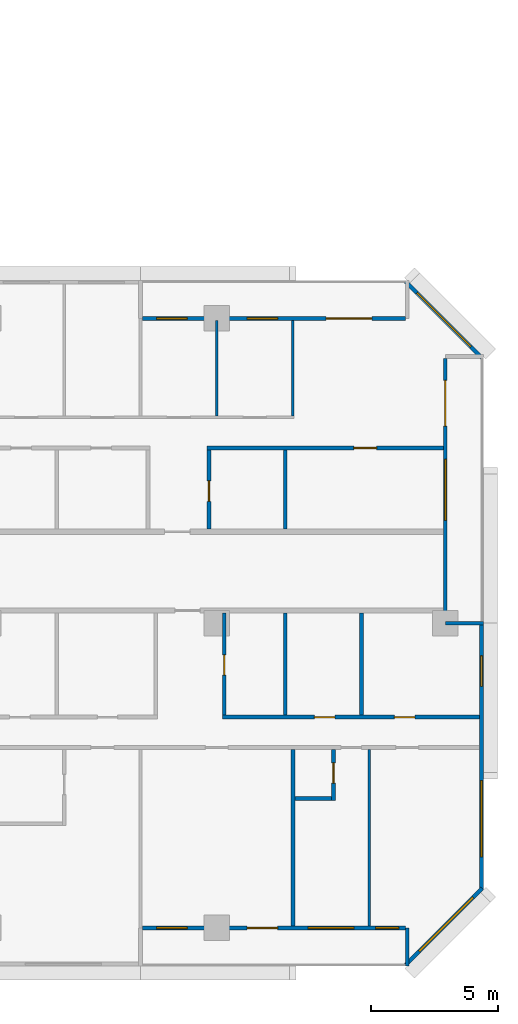
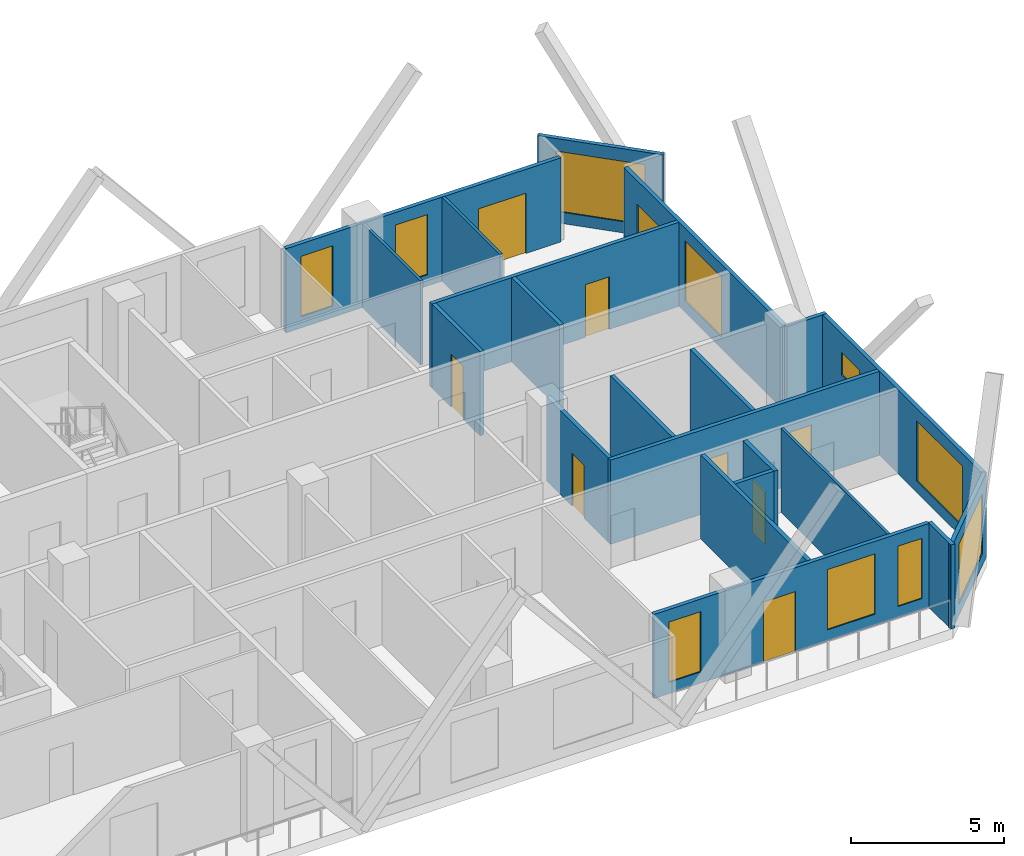
# One storey, part 12 of 15: 21 walls, 10 windows, 9 doors, 19 openings.
"""IFC4 building model written with IfcOpenShell, lengths in metres."""

from ifc_helpers import new_model, si_unit, direction, frame, frame_2d, origin, place, context, subcontext, project, spatial, rectangle, extrude, material, layer, layer_set, type_object, element, fill, save


model = new_model("IFC4")

# Units and contexts
model_context = context("Model", 3, precision=1e-05, world=origin(), true_north=direction((0.0, 1.0)))
body_context = subcontext(model_context, "Body", "Model", "MODEL_VIEW")
ifc_project = project(units=[si_unit("LENGTHUNIT", "METRE"), si_unit("AREAUNIT", "SQUARE_METRE"), si_unit("VOLUMEUNIT", "CUBIC_METRE"), si_unit("PLANEANGLEUNIT", "RADIAN"), si_unit("MASSUNIT", "GRAM", prefix="KILO")], contexts=[model_context])

# Site, building, storey
site_placement = place(None, origin())
site = spatial("IfcSite", under=ifc_project, at=site_placement, CompositionType="ELEMENT")
building_placement = place(site_placement, origin())
building = spatial("IfcBuilding", under=site, at=building_placement, Name="Chenar Terraces", CompositionType="ELEMENT")
storey_placement = place(building_placement, frame((0.0, 0.0, 114.39990234375)))
storey = spatial("IfcBuildingStorey", under=building, at=storey_placement, Name="L26", CompositionType="ELEMENT", Elevation=114.39990234375)

# Wall, openings, windows
ifc_material_1 = material(Name="Aluminium framed glazing", Category="aluminium")
ifc_layer_1 = layer(ifc_material_1, 0.14990234375)
ifc_layer_set_1 = layer_set([ifc_layer_1], Name="Aluminium framed glazing")
wall_type_1 = type_object("IfcWallType", Name="Glazed flush facade wall 150", PredefinedType="SOLIDWALL", material=ifc_layer_set_1)
wall_1_placement = place(storey_placement, frame((73.425048828125, 1.5, 0.0), z_axis=(0.0, 0.0, 1.0), x_axis=(0.0, 1.0, 0.0)))
wall_1 = element("IfcWall", 1, at=wall_1_placement, inside=storey, type_object=wall_type_1, Name="Glazed flush facade wall", PredefinedType="SOLIDWALL", context=body_context, shape_type="SweptSolid", body=[
    extrude(rectangle(XDim=10.425048828125, YDim=0.14990234375, at=frame_2d((5.21240234375, 0.0))), origin(), (0.0, 0.0, 1.0), 3.35009765625),
])
opening_1_placement = place(wall_1_placement, frame((1.300048828125, 0.0, 0.449951171875)))
opening_1 = element("IfcOpeningElement", 2, at=opening_1_placement, cuts=wall_1, Name="Opening W300x240", PredefinedType="OPENING", context=body_context, shape_type="SweptSolid", body=[
    extrude(rectangle(XDim=3.0, YDim=2.39990234375, at=frame_2d((1.5, 1.199951171875))), frame((0.0, 0.0849609375, 0.0), z_axis=(0.0, -1.0, 0.0), x_axis=(1.0, 0.0, 0.0)), (0.0, 0.0, 1.0), 0.169921875),
])
opening_2_placement = place(wall_1_placement, frame((8.012451171875, 0.0, 1.699951171875)))
opening_2 = element("IfcOpeningElement", 3, at=opening_2_placement, cuts=wall_1, Name="Opening W120x90", PredefinedType="OPENING", context=body_context, shape_type="SweptSolid", body=[
    extrude(rectangle(XDim=1.199951171875, YDim=0.89990234375, at=frame_2d((0.60009765625, 0.449951171875))), frame((0.0, 0.0849609375, 0.0), z_axis=(0.0, -1.0, 0.0), x_axis=(1.0, 0.0, 0.0)), (0.0, 0.0, 1.0), 0.169921875),
])
ifc_material_2 = material(Name="Low emissivity double glazing, aluminium frame", Category="aluminium")
window_type_1 = type_object("IfcWindowType", Name="Fixed light 1200 x 900", PartitioningType="SINGLE_PANEL", PredefinedType="WINDOW", material=ifc_material_2)
window_1_placement = place(opening_2_placement, origin())
window_1 = element("IfcWindow", 4, at=window_1_placement, inside=storey, type_object=window_type_1, Name="Window", OverallHeight=0.89990234375, OverallWidth=1.199951171875, PartitioningType="SINGLE_PANEL", PredefinedType="WINDOW", context=body_context, shape_type="SweptSolid", body=[
    extrude(rectangle(XDim=1.199951171875, YDim=0.89990234375, at=frame_2d((0.60009765625, 0.449951171875))), frame((0.0, 0.030029296875, 0.0), z_axis=(0.0, -1.0, 0.0), x_axis=(1.0, 0.0, 0.0)), (0.0, 0.0, 1.0), 0.06005859375),
])
fill(opening_2, window_1)
ifc_material_3 = material(Name="Low emissivity double glazing, aluminium frame", Category="aluminium")
window_type_2 = type_object("IfcWindowType", Name="Fixed light 3000 x 2400", PartitioningType="SINGLE_PANEL", PredefinedType="WINDOW", material=ifc_material_3)
window_2_placement = place(opening_1_placement, origin())
window_2 = element("IfcWindow", 5, at=window_2_placement, inside=storey, type_object=window_type_2, Name="Window", OverallHeight=2.39990234375, OverallWidth=3.0, PartitioningType="SINGLE_PANEL", PredefinedType="WINDOW", context=body_context, shape_type="SweptSolid", body=[
    extrude(rectangle(XDim=3.0, YDim=2.39990234375, at=frame_2d((1.5, 1.199951171875))), frame((0.0, 0.030029296875, 0.0), z_axis=(0.0, -1.0, 0.0), x_axis=(1.0, 0.0, 0.0)), (0.0, 0.0, 1.0), 0.06005859375),
])
fill(opening_1, window_2)

# Wall, openings, windows, door
ifc_material_4 = material(Name="Aluminium framed glazing", Category="aluminium")
ifc_layer_2 = layer(ifc_material_4, 0.14990234375)
ifc_layer_set_2 = layer_set([ifc_layer_2], Name="Aluminium framed glazing")
wall_type_2 = type_object("IfcWallType", Name="Glazed loggia back wall 150", PredefinedType="SOLIDWALL", material=ifc_layer_set_2)
wall_2_placement = place(storey_placement, frame((70.425048828125, 24.0, 0.0), z_axis=(0.0, 0.0, 1.0), x_axis=(-1.0, 0.0, 0.0)))
wall_2 = element("IfcWall", 6, at=wall_2_placement, inside=storey, type_object=wall_type_2, Name="Glazed loggia back wall", PredefinedType="SOLIDWALL", context=body_context, shape_type="SweptSolid", body=[
    extrude(rectangle(XDim=10.35009765625, YDim=0.14990234375, at=frame_2d((5.175048828125, 0.0))), origin(), (0.0, 0.0, 1.0), 3.35009765625),
])
opening_3_placement = place(wall_2_placement, frame((1.3125, 0.0, 0.0)))
opening_3 = element("IfcOpeningElement", 7, at=opening_3_placement, cuts=wall_2, Name="Opening DL26-G1", PredefinedType="OPENING", context=body_context, shape_type="SweptSolid", body=[
    extrude(rectangle(XDim=1.800048828125, YDim=2.39990234375, at=frame_2d((0.89990234375, 1.199951171875))), frame((0.0, 0.0849609375, 0.0), z_axis=(0.0, -1.0, 0.0), x_axis=(1.0, 0.0, 0.0)), (0.0, 0.0, 1.0), 0.169921875),
])
opening_4_placement = place(wall_2_placement, frame((5.02490234375, 0.0, 0.449951171875)))
opening_4 = element("IfcOpeningElement", 8, at=opening_4_placement, cuts=wall_2, Name="Opening W120x240", PredefinedType="OPENING", context=body_context, shape_type="SweptSolid", body=[
    extrude(rectangle(XDim=1.199951171875, YDim=2.39990234375, at=frame_2d((0.60009765625, 1.199951171875))), frame((0.0, 0.0849609375, 0.0), z_axis=(0.0, -1.0, 0.0), x_axis=(1.0, 0.0, 0.0)), (0.0, 0.0, 1.0), 0.169921875),
])
opening_5_placement = place(wall_2_placement, frame((8.58740234375, 0.0, 0.449951171875)))
opening_5 = element("IfcOpeningElement", 9, at=opening_5_placement, cuts=wall_2, Name="Opening W120x240", PredefinedType="OPENING", context=body_context, shape_type="SweptSolid", body=[
    extrude(rectangle(XDim=1.199951171875, YDim=2.39990234375, at=frame_2d((0.60009765625, 1.199951171875))), frame((0.0, 0.0849609375, 0.0), z_axis=(0.0, -1.0, 0.0), x_axis=(1.0, 0.0, 0.0)), (0.0, 0.0, 1.0), 0.169921875),
])
ifc_material_5 = material(Name="Low emissivity double glazing, aluminium frame", Category="aluminium")
window_type_3 = type_object("IfcWindowType", Name="Fixed light 1200 x 2400", PartitioningType="SINGLE_PANEL", PredefinedType="WINDOW", material=ifc_material_5)
window_3_placement = place(opening_4_placement, origin())
window_3 = element("IfcWindow", 10, at=window_3_placement, inside=storey, type_object=window_type_3, Name="Window", OverallHeight=2.39990234375, OverallWidth=1.199951171875, PartitioningType="SINGLE_PANEL", PredefinedType="WINDOW", context=body_context, shape_type="SweptSolid", body=[
    extrude(rectangle(XDim=1.199951171875, YDim=2.39990234375, at=frame_2d((0.60009765625, 1.199951171875))), frame((0.0, 0.030029296875, 0.0), z_axis=(0.0, -1.0, 0.0), x_axis=(1.0, 0.0, 0.0)), (0.0, 0.0, 1.0), 0.06005859375),
])
fill(opening_4, window_3)
window_4_placement = place(opening_5_placement, origin())
window_4 = element("IfcWindow", 11, at=window_4_placement, inside=storey, type_object=window_type_3, Name="Window", OverallHeight=2.39990234375, OverallWidth=1.199951171875, PartitioningType="SINGLE_PANEL", PredefinedType="WINDOW", context=body_context, shape_type="SweptSolid", body=[
    extrude(rectangle(XDim=1.199951171875, YDim=2.39990234375, at=frame_2d((0.60009765625, 1.199951171875))), frame((0.0, 0.030029296875, 0.0), z_axis=(0.0, -1.0, 0.0), x_axis=(1.0, 0.0, 0.0)), (0.0, 0.0, 1.0), 0.06005859375),
])
fill(opening_5, window_4)
ifc_material_6 = material(Name="Low emissivity double glazing, aluminium frame", Category="aluminium")
door_type_1 = type_object("IfcDoorType", Name="Loggia glazed double door 1800 x 2400", OperationType="DOUBLE_DOOR_SINGLE_SWING", PredefinedType="DOOR", material=ifc_material_6)
door_1_placement = place(opening_3_placement, frame((1.800048828125, 0.0, 0.0), z_axis=(0.0, 0.0, 1.0), x_axis=(-1.0, 0.0, 0.0)))
door_1 = element("IfcDoor", 12, at=door_1_placement, inside=storey, type_object=door_type_1, Name="Loggia glazed door", OperationType="DOUBLE_DOOR_SINGLE_SWING", OverallHeight=2.39990234375, OverallWidth=1.800048828125, PredefinedType="DOOR", context=body_context, shape_type="SweptSolid", body=[
    extrude(rectangle(XDim=1.800048828125, YDim=2.39990234375, at=frame_2d((0.89990234375, 1.199951171875))), frame((0.0, 0.02490234375, 0.0), z_axis=(0.0, -1.0, 0.0), x_axis=(1.0, 0.0, 0.0)), (0.0, 0.0, 1.0), 0.050048828125),
])
fill(opening_3, door_1)

wall_3_placement = place(storey_placement, frame((60.074951171875, 0.0, 0.0), z_axis=(0.0, 0.0, 1.0), x_axis=(1.0, 0.0, 0.0)))
wall_3 = element("IfcWall", 13, at=wall_3_placement, inside=storey, type_object=wall_type_2, Name="Glazed loggia back wall", PredefinedType="SOLIDWALL", context=body_context, shape_type="SweptSolid", body=[
    extrude(rectangle(XDim=10.35009765625, YDim=0.14990234375, at=frame_2d((5.175048828125, 0.0))), origin(), (0.0, 0.0, 1.0), 3.35009765625),
])
opening_6_placement = place(wall_3_placement, frame((0.5625, 0.0, 0.449951171875)))
opening_6 = element("IfcOpeningElement", 14, at=opening_6_placement, cuts=wall_3, Name="Opening W120x240", PredefinedType="OPENING", context=body_context, shape_type="SweptSolid", body=[
    extrude(rectangle(XDim=1.199951171875, YDim=2.39990234375, at=frame_2d((0.60009765625, 1.199951171875))), frame((0.0, 0.0849609375, 0.0), z_axis=(0.0, -1.0, 0.0), x_axis=(1.0, 0.0, 0.0)), (0.0, 0.0, 1.0), 0.169921875),
])
opening_7_placement = place(wall_3_placement, frame((4.125, 0.0, 0.0)))
opening_7 = element("IfcOpeningElement", 15, at=opening_7_placement, cuts=wall_3, Name="Opening DL26-G8", PredefinedType="OPENING", context=body_context, shape_type="SweptSolid", body=[
    extrude(rectangle(XDim=1.199951171875, YDim=2.39990234375, at=frame_2d((0.60009765625, 1.199951171875))), frame((0.0, 0.0849609375, 0.0), z_axis=(0.0, -1.0, 0.0), x_axis=(1.0, 0.0, 0.0)), (0.0, 0.0, 1.0), 0.169921875),
])
opening_8_placement = place(wall_3_placement, frame((6.52490234375, 0.0, 0.449951171875)))
opening_8 = element("IfcOpeningElement", 16, at=opening_8_placement, cuts=wall_3, Name="Opening W180x240", PredefinedType="OPENING", context=body_context, shape_type="SweptSolid", body=[
    extrude(rectangle(XDim=1.800048828125, YDim=2.39990234375, at=frame_2d((0.89990234375, 1.199951171875))), frame((0.0, 0.0849609375, 0.0), z_axis=(0.0, -1.0, 0.0), x_axis=(1.0, 0.0, 0.0)), (0.0, 0.0, 1.0), 0.169921875),
])
opening_9_placement = place(wall_3_placement, frame((9.1875, 0.0, 0.449951171875)))
opening_9 = element("IfcOpeningElement", 17, at=opening_9_placement, cuts=wall_3, Name="Opening W90x240", PredefinedType="OPENING", context=body_context, shape_type="SweptSolid", body=[
    extrude(rectangle(XDim=0.89990234375, YDim=2.39990234375, at=frame_2d((0.449951171875, 1.199951171875))), frame((0.0, 0.0849609375, 0.0), z_axis=(0.0, -1.0, 0.0), x_axis=(1.0, 0.0, 0.0)), (0.0, 0.0, 1.0), 0.169921875),
])
window_5_placement = place(opening_6_placement, origin())
window_5 = element("IfcWindow", 18, at=window_5_placement, inside=storey, type_object=window_type_3, Name="Window", OverallHeight=2.39990234375, OverallWidth=1.199951171875, PartitioningType="SINGLE_PANEL", PredefinedType="WINDOW", context=body_context, shape_type="SweptSolid", body=[
    extrude(rectangle(XDim=1.199951171875, YDim=2.39990234375, at=frame_2d((0.60009765625, 1.199951171875))), frame((0.0, 0.030029296875, 0.0), z_axis=(0.0, -1.0, 0.0), x_axis=(1.0, 0.0, 0.0)), (0.0, 0.0, 1.0), 0.06005859375),
])
fill(opening_6, window_5)
ifc_material_7 = material(Name="Low emissivity double glazing, aluminium frame", Category="aluminium")
window_type_4 = type_object("IfcWindowType", Name="Fixed light 1800 x 2400", PartitioningType="SINGLE_PANEL", PredefinedType="WINDOW", material=ifc_material_7)
window_6_placement = place(opening_8_placement, origin())
window_6 = element("IfcWindow", 19, at=window_6_placement, inside=storey, type_object=window_type_4, Name="Window", OverallHeight=2.39990234375, OverallWidth=1.800048828125, PartitioningType="SINGLE_PANEL", PredefinedType="WINDOW", context=body_context, shape_type="SweptSolid", body=[
    extrude(rectangle(XDim=1.800048828125, YDim=2.39990234375, at=frame_2d((0.89990234375, 1.199951171875))), frame((0.0, 0.030029296875, 0.0), z_axis=(0.0, -1.0, 0.0), x_axis=(1.0, 0.0, 0.0)), (0.0, 0.0, 1.0), 0.06005859375),
])
fill(opening_8, window_6)
ifc_material_8 = material(Name="Low emissivity double glazing, aluminium frame", Category="aluminium")
window_type_5 = type_object("IfcWindowType", Name="Fixed light 900 x 2400", PartitioningType="SINGLE_PANEL", PredefinedType="WINDOW", material=ifc_material_8)
window_7_placement = place(opening_9_placement, origin())
window_7 = element("IfcWindow", 20, at=window_7_placement, inside=storey, type_object=window_type_5, Name="Window", OverallHeight=2.39990234375, OverallWidth=0.89990234375, PartitioningType="SINGLE_PANEL", PredefinedType="WINDOW", context=body_context, shape_type="SweptSolid", body=[
    extrude(rectangle(XDim=0.89990234375, YDim=2.39990234375, at=frame_2d((0.449951171875, 1.199951171875))), frame((0.0, 0.030029296875, 0.0), z_axis=(0.0, -1.0, 0.0), x_axis=(1.0, 0.0, 0.0)), (0.0, 0.0, 1.0), 0.06005859375),
])
fill(opening_9, window_7)
ifc_material_9 = material(Name="Low emissivity double glazing, aluminium frame", Category="aluminium")
door_type_2 = type_object("IfcDoorType", Name="Loggia glazed double door 1200 x 2400", OperationType="DOUBLE_DOOR_SINGLE_SWING", PredefinedType="DOOR", material=ifc_material_9)
door_2_placement = place(opening_7_placement, frame((1.199951171875, 0.0, 0.0), z_axis=(0.0, 0.0, 1.0), x_axis=(-1.0, 0.0, 0.0)))
door_2 = element("IfcDoor", 21, at=door_2_placement, inside=storey, type_object=door_type_2, Name="Loggia glazed door", OperationType="DOUBLE_DOOR_SINGLE_SWING", OverallHeight=2.39990234375, OverallWidth=1.199951171875, PredefinedType="DOOR", context=body_context, shape_type="SweptSolid", body=[
    extrude(rectangle(XDim=1.199951171875, YDim=2.39990234375, at=frame_2d((0.60009765625, 1.199951171875))), frame((0.0, 0.02490234375, 0.0), z_axis=(0.0, -1.0, 0.0), x_axis=(1.0, 0.0, 0.0)), (0.0, 0.0, 1.0), 0.050048828125),
])
fill(opening_7, door_2)

# Wall, openings, window, door
wall_4_placement = place(storey_placement, frame((72.0, 12.074951171875, 0.0), z_axis=(0.0, 0.0, 1.0), x_axis=(0.0, 1.0, 0.0)))
wall_4 = element("IfcWall", 22, at=wall_4_placement, inside=storey, type_object=wall_type_2, Name="Glazed loggia back wall", PredefinedType="SOLIDWALL", context=body_context, shape_type="SweptSolid", body=[
    extrude(rectangle(XDim=10.35009765625, YDim=0.14990234375, at=frame_2d((5.175048828125, 0.0))), origin(), (0.0, 0.0, 1.0), 3.35009765625),
])
opening_10_placement = place(wall_4_placement, frame((3.97509765625, 0.0, 0.449951171875)))
opening_10 = element("IfcOpeningElement", 23, at=opening_10_placement, cuts=wall_4, Name="Opening W240x240", PredefinedType="OPENING", context=body_context, shape_type="SweptSolid", body=[
    extrude(rectangle(XDim=2.39990234375, YDim=2.39990234375, at=frame_2d((1.199951171875, 1.199951171875))), frame((0.0, 0.0849609375, 0.0), z_axis=(0.0, -1.0, 0.0), x_axis=(1.0, 0.0, 0.0)), (0.0, 0.0, 1.0), 0.169921875),
])
opening_11_placement = place(wall_4_placement, frame((7.6875, 0.0, 0.0)))
opening_11 = element("IfcOpeningElement", 24, at=opening_11_placement, cuts=wall_4, Name="Opening DL26-G9", PredefinedType="OPENING", context=body_context, shape_type="SweptSolid", body=[
    extrude(rectangle(XDim=1.800048828125, YDim=2.39990234375, at=frame_2d((0.89990234375, 1.199951171875))), frame((0.0, 0.0849609375, 0.0), z_axis=(0.0, -1.0, 0.0), x_axis=(1.0, 0.0, 0.0)), (0.0, 0.0, 1.0), 0.169921875),
])
ifc_material_10 = material(Name="Low emissivity double glazing, aluminium frame", Category="aluminium")
window_type_6 = type_object("IfcWindowType", Name="Fixed light 2400 x 2400", PartitioningType="SINGLE_PANEL", PredefinedType="WINDOW", material=ifc_material_10)
window_8_placement = place(opening_10_placement, origin())
window_8 = element("IfcWindow", 25, at=window_8_placement, inside=storey, type_object=window_type_6, Name="Window", OverallHeight=2.39990234375, OverallWidth=2.39990234375, PartitioningType="SINGLE_PANEL", PredefinedType="WINDOW", context=body_context, shape_type="SweptSolid", body=[
    extrude(rectangle(XDim=2.39990234375, YDim=2.39990234375, at=frame_2d((1.199951171875, 1.199951171875))), frame((0.0, 0.030029296875, 0.0), z_axis=(0.0, -1.0, 0.0), x_axis=(1.0, 0.0, 0.0)), (0.0, 0.0, 1.0), 0.06005859375),
])
fill(opening_10, window_8)
door_3_placement = place(opening_11_placement, frame((1.800048828125, 0.0, 0.0), z_axis=(0.0, 0.0, 1.0), x_axis=(-1.0, 0.0, 0.0)))
door_3 = element("IfcDoor", 26, at=door_3_placement, inside=storey, type_object=door_type_1, Name="Loggia glazed door", OperationType="DOUBLE_DOOR_SINGLE_SWING", OverallHeight=2.39990234375, OverallWidth=1.800048828125, PredefinedType="DOOR", context=body_context, shape_type="SweptSolid", body=[
    extrude(rectangle(XDim=1.800048828125, YDim=2.39990234375, at=frame_2d((0.89990234375, 1.199951171875))), frame((0.0, 0.02490234375, 0.0), z_axis=(0.0, -1.0, 0.0), x_axis=(1.0, 0.0, 0.0)), (0.0, 0.0, 1.0), 0.050048828125),
])
fill(opening_11, door_3)

# Walls
ifc_material_11 = material(Name="Gypsum board on steel studs", Category="steel")
ifc_layer_3 = layer(ifc_material_11, 0.10009765625)
ifc_layer_set_3 = layer_set([ifc_layer_3], Name="Gypsum board on steel studs")
wall_type_3 = type_object("IfcWallType", Name="Gypsum partition 100", PredefinedType="PARTITIONING", material=ifc_layer_set_3)
for number, where, z_axis, x_axis, name in (
    (27, (63.0, 20.14990234375, 0.0), (0.0, 0.0, 1.0), (0.0, 1.0, 0.0), "Partition L26-093"),
    (28, (66.0, 20.14990234375, 0.0), (0.0, 0.0, 1.0), (0.0, 1.0, 0.0), "Partition L26-099"),
):
    element("IfcWall", number, at=place(storey_placement, frame(where, z_axis=z_axis, x_axis=x_axis)), inside=storey, type_object=wall_type_3, Name=name, PredefinedType="PARTITIONING", context=body_context, shape_type="SweptSolid", body=[
        extrude(rectangle(XDim=3.776123046875, YDim=0.10009765625, at=frame_2d((1.88818359375, 0.0))), origin(), (0.0, 0.0, 1.0), 3.35009765625),
    ])
wall_5_placement = place(storey_placement, frame((69.0, 0.073974609375, 0.0), z_axis=(0.0, 0.0, 1.0), x_axis=(0.0, 1.0, 0.0)))
element("IfcWall", 29, at=wall_5_placement, inside=storey, type_object=wall_type_3, Name="Partition L26-103", PredefinedType="PARTITIONING", context=body_context, shape_type="SweptSolid", body=[
    extrude(rectangle(XDim=6.950927734375, YDim=0.10009765625, at=frame_2d((3.4755859375, 0.0))), origin(), (0.0, 0.0, 1.0), 3.35009765625),
])
ifc_material_12 = material(Name="Terracotta cladding on insulated backing", Category="masonry")
ifc_layer_4 = layer(ifc_material_12, 0.14990234375)
ifc_layer_set_4 = layer_set([ifc_layer_4], Name="Terracotta cladding on insulated backing")
wall_type_4 = type_object("IfcWallType", Name="Loggia return wall 150", PredefinedType="SOLIDWALL", material=ifc_layer_set_4)
for number, where, z_axis, x_axis, name in (
    (30, (70.5, -1.5, 0.0), (0.0, 0.0, 1.0), (0.0, 1.0, 0.0), "Loggia return wall"),
    (31, (73.5, 12.0, 0.0), (0.0, 0.0, 1.0), (-1.0, 0.0, 0.0), "Loggia return wall"),
):
    element("IfcWall", number, at=place(storey_placement, frame(where, z_axis=z_axis, x_axis=x_axis)), inside=storey, type_object=wall_type_4, Name=name, PredefinedType="SOLIDWALL", context=body_context, shape_type="SweptSolid", body=[
        extrude(rectangle(XDim=1.5, YDim=0.14990234375, at=frame_2d((0.75, 0.0))), origin(), (0.0, 0.0, 1.0), 3.35009765625),
    ])

# Wall, opening, window
ifc_material_13 = material(Name="Terracotta cladding on insulated backing", Category="masonry")
ifc_layer_5 = layer(ifc_material_13, 0.14990234375)
ifc_layer_set_5 = layer_set([ifc_layer_5], Name="Terracotta cladding on insulated backing")
wall_type_5 = type_object("IfcWallType", Name="Terracotta rainscreen wall 150", PredefinedType="SOLIDWALL", material=ifc_layer_set_5)
wall_6_placement = place(storey_placement, frame((70.447021484375, -1.447021484375, 0.0), z_axis=(0.0, 0.0, 1.0), x_axis=(0.707106781187, 0.707106781187, 0.0)))
wall_6 = element("IfcWall", 32, at=wall_6_placement, inside=storey, type_object=wall_type_5, Name="Terracotta rainscreen wall", PredefinedType="SOLIDWALL", context=body_context, shape_type="SweptSolid", body=[
    extrude(rectangle(XDim=4.24267578125, YDim=0.14990234375, at=frame_2d((2.121337890625, 0.0))), origin(), (0.0, 0.0, 1.0), 3.35009765625),
])
opening_12_placement = place(wall_6_placement, frame((0.744384765625, 0.0, 0.449951171875)))
opening_12 = element("IfcOpeningElement", 33, at=opening_12_placement, cuts=wall_6, Name="Opening W300x240", PredefinedType="OPENING", context=body_context, shape_type="SweptSolid", body=[
    extrude(rectangle(XDim=3.0, YDim=2.39990234375, at=frame_2d((1.5, 1.199951171875))), frame((0.0, 0.0849609375, 0.0), z_axis=(0.0, -1.0, 0.0), x_axis=(1.0, 0.0, 0.0)), (0.0, 0.0, 1.0), 0.169921875),
])
window_9_placement = place(opening_12_placement, origin())
window_9 = element("IfcWindow", 34, at=window_9_placement, inside=storey, type_object=window_type_2, Name="Window", OverallHeight=2.39990234375, OverallWidth=3.0, PartitioningType="SINGLE_PANEL", PredefinedType="WINDOW", context=body_context, shape_type="SweptSolid", body=[
    extrude(rectangle(XDim=3.0, YDim=2.39990234375, at=frame_2d((1.5, 1.199951171875))), frame((0.0, 0.030029296875, 0.0), z_axis=(0.0, -1.0, 0.0), x_axis=(1.0, 0.0, 0.0)), (0.0, 0.0, 1.0), 0.06005859375),
])
fill(opening_12, window_9)

wall_7_placement = place(storey_placement, frame((73.447021484375, 22.447021484375, 0.0), z_axis=(0.0, 0.0, 1.0), x_axis=(-0.707106781187, 0.707106781187, 0.0)))
wall_7 = element("IfcWall", 35, at=wall_7_placement, inside=storey, type_object=wall_type_5, Name="Terracotta rainscreen wall", PredefinedType="SOLIDWALL", context=body_context, shape_type="SweptSolid", body=[
    extrude(rectangle(XDim=4.24267578125, YDim=0.14990234375, at=frame_2d((2.121337890625, 0.0))), origin(), (0.0, 0.0, 1.0), 3.35009765625),
])
opening_13_placement = place(wall_7_placement, frame((0.621337890625, 0.0, 0.449951171875)))
opening_13 = element("IfcOpeningElement", 36, at=opening_13_placement, cuts=wall_7, Name="Opening W300x240", PredefinedType="OPENING", context=body_context, shape_type="SweptSolid", body=[
    extrude(rectangle(XDim=3.0, YDim=2.39990234375, at=frame_2d((1.5, 1.199951171875))), frame((0.0, 0.0849609375, 0.0), z_axis=(0.0, -1.0, 0.0), x_axis=(1.0, 0.0, 0.0)), (0.0, 0.0, 1.0), 0.169921875),
])
window_10_placement = place(opening_13_placement, origin())
window_10 = element("IfcWindow", 37, at=window_10_placement, inside=storey, type_object=window_type_2, Name="Window", OverallHeight=2.39990234375, OverallWidth=3.0, PartitioningType="SINGLE_PANEL", PredefinedType="WINDOW", context=body_context, shape_type="SweptSolid", body=[
    extrude(rectangle(XDim=3.0, YDim=2.39990234375, at=frame_2d((1.5, 1.199951171875))), frame((0.0, 0.030029296875, 0.0), z_axis=(0.0, -1.0, 0.0), x_axis=(1.0, 0.0, 0.0)), (0.0, 0.0, 1.0), 0.06005859375),
])
fill(opening_13, window_10)

# Wall, opening, door
ifc_material_14 = material(Name="Moisture-resistant gypsum board on steel studs", Category="steel")
ifc_layer_6 = layer(ifc_material_14, 0.14990234375)
ifc_layer_set_6 = layer_set([ifc_layer_6], Name="Moisture-resistant gypsum board on steel studs")
wall_type_6 = type_object("IfcWallType", Name="Wet-room partition 150", PredefinedType="PARTITIONING", material=ifc_layer_set_6)
wall_8_placement = place(storey_placement, frame((62.625, 18.89990234375, 0.0), z_axis=(0.0, 0.0, 1.0), x_axis=(1.0, 0.0, 0.0)))
wall_8 = element("IfcWall", 38, at=wall_8_placement, inside=storey, type_object=wall_type_6, Name="Partition L26-091", PredefinedType="PARTITIONING", context=body_context, shape_type="SweptSolid", body=[
    extrude(rectangle(XDim=9.301025390625, YDim=0.14990234375, at=frame_2d((4.650390625, 0.0))), origin(), (0.0, 0.0, 1.0), 3.35009765625),
])
opening_14_placement = place(wall_8_placement, frame((5.77490234375, 0.0, 0.0)))
opening_14 = element("IfcOpeningElement", 39, at=opening_14_placement, cuts=wall_8, Name="Opening DL26-8", PredefinedType="OPENING", context=body_context, shape_type="SweptSolid", body=[
    extrude(rectangle(XDim=0.89990234375, YDim=2.10009765625, at=frame_2d((0.449951171875, 1.050048828125))), frame((0.0, 0.0849609375, 0.0), z_axis=(0.0, -1.0, 0.0), x_axis=(1.0, 0.0, 0.0)), (0.0, 0.0, 1.0), 0.169921875),
])
ifc_material_15 = material(Name="Veneered timber door leaf", Category="wood")
door_type_3 = type_object("IfcDoorType", Name="Door 900 x 2100", OperationType="SINGLE_SWING_LEFT", PredefinedType="DOOR", material=ifc_material_15)
door_4_placement = place(opening_14_placement, frame((0.89990234375, 0.0, 0.0), z_axis=(0.0, 0.0, 1.0), x_axis=(-1.0, 0.0, 0.0)))
door_4 = element("IfcDoor", 40, at=door_4_placement, inside=storey, type_object=door_type_3, Name="Door DL26-8", OperationType="SINGLE_SWING_LEFT", OverallHeight=2.10009765625, OverallWidth=0.89990234375, PredefinedType="DOOR", context=body_context, shape_type="SweptSolid", body=[
    extrude(rectangle(XDim=0.89990234375, YDim=2.10009765625, at=frame_2d((0.449951171875, 1.050048828125))), frame((0.0, 0.02490234375, 0.0), z_axis=(0.0, -1.0, 0.0), x_axis=(1.0, 0.0, 0.0)), (0.0, 0.0, 1.0), 0.050048828125),
])
fill(opening_14, door_4)

wall_9_placement = place(storey_placement, frame((62.699951171875, 15.699951171875, 0.0), z_axis=(0.0, 0.0, 1.0), x_axis=(0.0, 1.0, 0.0)))
wall_9 = element("IfcWall", 41, at=wall_9_placement, inside=storey, type_object=wall_type_6, Name="Partition L26-092", PredefinedType="PARTITIONING", context=body_context, shape_type="SweptSolid", body=[
    extrude(rectangle(XDim=3.125, YDim=0.14990234375, at=frame_2d((1.5625, 0.0))), origin(), (0.0, 0.0, 1.0), 3.35009765625),
])
opening_15_placement = place(wall_9_placement, frame((1.10009765625, 0.0, 0.0)))
opening_15 = element("IfcOpeningElement", 42, at=opening_15_placement, cuts=wall_9, Name="Opening DL26-12", PredefinedType="OPENING", context=body_context, shape_type="SweptSolid", body=[
    extrude(rectangle(XDim=0.800048828125, YDim=2.10009765625, at=frame_2d((0.39990234375, 1.050048828125))), frame((0.0, 0.0849609375, 0.0), z_axis=(0.0, -1.0, 0.0), x_axis=(1.0, 0.0, 0.0)), (0.0, 0.0, 1.0), 0.169921875),
])
ifc_material_16 = material(Name="Veneered timber door leaf", Category="wood")
door_type_4 = type_object("IfcDoorType", Name="Door 800 x 2100", OperationType="SINGLE_SWING_LEFT", PredefinedType="DOOR", material=ifc_material_16)
door_5_placement = place(opening_15_placement, frame((0.800048828125, 0.0, 0.0), z_axis=(0.0, 0.0, 1.0), x_axis=(-1.0, 0.0, 0.0)))
door_5 = element("IfcDoor", 43, at=door_5_placement, inside=storey, type_object=door_type_4, Name="Door DL26-12", OperationType="SINGLE_SWING_RIGHT", OverallHeight=2.10009765625, OverallWidth=0.800048828125, PredefinedType="DOOR", context=body_context, shape_type="SweptSolid", body=[
    extrude(rectangle(XDim=0.800048828125, YDim=2.10009765625, at=frame_2d((0.39990234375, 1.050048828125))), frame((0.0, 0.02490234375, 0.0), z_axis=(0.0, -1.0, 0.0), x_axis=(1.0, 0.0, 0.0)), (0.0, 0.0, 1.0), 0.050048828125),
])
fill(opening_15, door_5)

# Wall, openings, doors
wall_10_placement = place(storey_placement, frame((63.22509765625, 8.300048828125, 0.0), z_axis=(0.0, 0.0, 1.0), x_axis=(1.0, 0.0, 0.0)))
wall_10 = element("IfcWall", 44, at=wall_10_placement, inside=storey, type_object=wall_type_6, Name="Partition L26-094", PredefinedType="PARTITIONING", context=body_context, shape_type="SweptSolid", body=[
    extrude(rectangle(XDim=10.125, YDim=0.14990234375, at=frame_2d((5.0625, 0.0))), origin(), (0.0, 0.0, 1.0), 3.35009765625),
])
opening_16_placement = place(wall_10_placement, frame((6.77490234375, 0.0, 0.0)))
opening_16 = element("IfcOpeningElement", 45, at=opening_16_placement, cuts=wall_10, Name="Opening DL26-23", PredefinedType="OPENING", context=body_context, shape_type="SweptSolid", body=[
    extrude(rectangle(XDim=0.800048828125, YDim=2.10009765625, at=frame_2d((0.39990234375, 1.050048828125))), frame((0.0, 0.0849609375, 0.0), z_axis=(0.0, -1.0, 0.0), x_axis=(1.0, 0.0, 0.0)), (0.0, 0.0, 1.0), 0.169921875),
])
opening_17_placement = place(wall_10_placement, frame((3.625, 0.0, 0.0)))
opening_17 = element("IfcOpeningElement", 46, at=opening_17_placement, cuts=wall_10, Name="Opening DL26-28", PredefinedType="OPENING", context=body_context, shape_type="SweptSolid", body=[
    extrude(rectangle(XDim=0.800048828125, YDim=2.10009765625, at=frame_2d((0.39990234375, 1.050048828125))), frame((0.0, 0.0849609375, 0.0), z_axis=(0.0, -1.0, 0.0), x_axis=(1.0, 0.0, 0.0)), (0.0, 0.0, 1.0), 0.169921875),
])
door_6_placement = place(opening_16_placement, origin())
door_6 = element("IfcDoor", 47, at=door_6_placement, inside=storey, type_object=door_type_4, Name="Door DL26-23", OperationType="SINGLE_SWING_LEFT", OverallHeight=2.10009765625, OverallWidth=0.800048828125, PredefinedType="DOOR", context=body_context, shape_type="SweptSolid", body=[
    extrude(rectangle(XDim=0.800048828125, YDim=2.10009765625, at=frame_2d((0.39990234375, 1.050048828125))), frame((0.0, 0.02490234375, 0.0), z_axis=(0.0, -1.0, 0.0), x_axis=(1.0, 0.0, 0.0)), (0.0, 0.0, 1.0), 0.050048828125),
])
fill(opening_16, door_6)
door_7_placement = place(opening_17_placement, origin())
door_7 = element("IfcDoor", 48, at=door_7_placement, inside=storey, type_object=door_type_4, Name="Door DL26-28", OperationType="SINGLE_SWING_RIGHT", OverallHeight=2.10009765625, OverallWidth=0.800048828125, PredefinedType="DOOR", context=body_context, shape_type="SweptSolid", body=[
    extrude(rectangle(XDim=0.800048828125, YDim=2.10009765625, at=frame_2d((0.39990234375, 1.050048828125))), frame((0.0, 0.02490234375, 0.0), z_axis=(0.0, -1.0, 0.0), x_axis=(1.0, 0.0, 0.0)), (0.0, 0.0, 1.0), 0.050048828125),
])
fill(opening_17, door_7)

# Wall, opening, door
wall_11_placement = place(storey_placement, frame((63.300048828125, 8.375, 0.0), z_axis=(0.0, 0.0, 1.0), x_axis=(0.0, 1.0, 0.0)))
wall_11 = element("IfcWall", 49, at=wall_11_placement, inside=storey, type_object=wall_type_6, Name="Partition L26-095", PredefinedType="PARTITIONING", context=body_context, shape_type="SweptSolid", body=[
    extrude(rectangle(XDim=4.02490234375, YDim=0.14990234375, at=frame_2d((2.012451171875, 0.0))), origin(), (0.0, 0.0, 1.0), 3.35009765625),
])
opening_18_placement = place(wall_11_placement, frame((1.574951171875, 0.0, 0.0)))
opening_18 = element("IfcOpeningElement", 50, at=opening_18_placement, cuts=wall_11, Name="Opening DL26-22", PredefinedType="OPENING", context=body_context, shape_type="SweptSolid", body=[
    extrude(rectangle(XDim=0.800048828125, YDim=2.10009765625, at=frame_2d((0.39990234375, 1.050048828125))), frame((0.0, 0.0849609375, 0.0), z_axis=(0.0, -1.0, 0.0), x_axis=(1.0, 0.0, 0.0)), (0.0, 0.0, 1.0), 0.169921875),
])
door_8_placement = place(opening_18_placement, frame((0.800048828125, 0.0, 0.0), z_axis=(0.0, 0.0, 1.0), x_axis=(-1.0, 0.0, 0.0)))
door_8 = element("IfcDoor", 51, at=door_8_placement, inside=storey, type_object=door_type_4, Name="Door DL26-22", OperationType="SINGLE_SWING_LEFT", OverallHeight=2.10009765625, OverallWidth=0.800048828125, PredefinedType="DOOR", context=body_context, shape_type="SweptSolid", body=[
    extrude(rectangle(XDim=0.800048828125, YDim=2.10009765625, at=frame_2d((0.39990234375, 1.050048828125))), frame((0.0, 0.02490234375, 0.0), z_axis=(0.0, -1.0, 0.0), x_axis=(1.0, 0.0, 0.0)), (0.0, 0.0, 1.0), 0.050048828125),
])
fill(opening_18, door_8)

# Walls
wall_12_placement = place(storey_placement, frame((65.699951171875, 8.375, 0.0), z_axis=(0.0, 0.0, 1.0), x_axis=(0.0, 1.0, 0.0)))
element("IfcWall", 52, at=wall_12_placement, inside=storey, type_object=wall_type_6, Name="Partition L26-096", PredefinedType="PARTITIONING", context=body_context, shape_type="SweptSolid", body=[
    extrude(rectangle(XDim=4.02490234375, YDim=0.14990234375, at=frame_2d((2.012451171875, 0.0))), origin(), (0.0, 0.0, 1.0), 3.35009765625),
])
wall_13_placement = place(storey_placement, frame((65.699951171875, 15.699951171875, 0.0), z_axis=(0.0, 0.0, 1.0), x_axis=(0.0, 1.0, 0.0)))
element("IfcWall", 53, at=wall_13_placement, inside=storey, type_object=wall_type_6, Name="Partition L26-097", PredefinedType="PARTITIONING", context=body_context, shape_type="SweptSolid", body=[
    extrude(rectangle(XDim=3.125, YDim=0.14990234375, at=frame_2d((1.5625, 0.0))), origin(), (0.0, 0.0, 1.0), 3.35009765625),
])
wall_14_placement = place(storey_placement, frame((66.0, 0.073974609375, 0.0), z_axis=(0.0, 0.0, 1.0), x_axis=(0.0, 1.0, 0.0)))
element("IfcWall", 54, at=wall_14_placement, inside=storey, type_object=wall_type_6, Name="Partition L26-098", PredefinedType="PARTITIONING", context=body_context, shape_type="SweptSolid", body=[
    extrude(rectangle(XDim=6.950927734375, YDim=0.14990234375, at=frame_2d((3.4755859375, 0.0))), origin(), (0.0, 0.0, 1.0), 3.35009765625),
])
wall_15_placement = place(storey_placement, frame((66.074951171875, 5.10009765625, 0.0), z_axis=(0.0, 0.0, 1.0), x_axis=(1.0, 0.0, 0.0)))
element("IfcWall", 55, at=wall_15_placement, inside=storey, type_object=wall_type_6, Name="Partition L26-100", PredefinedType="PARTITIONING", context=body_context, shape_type="SweptSolid", body=[
    extrude(rectangle(XDim=1.449951171875, YDim=0.14990234375, at=frame_2d((0.72509765625, 0.0))), origin(), (0.0, 0.0, 1.0), 3.35009765625),
])

# Wall, opening, door
wall_16_placement = place(storey_placement, frame((67.60009765625, 5.02490234375, 0.0), z_axis=(0.0, 0.0, 1.0), x_axis=(0.0, 1.0, 0.0)))
wall_16 = element("IfcWall", 56, at=wall_16_placement, inside=storey, type_object=wall_type_6, Name="Partition L26-101", PredefinedType="PARTITIONING", context=body_context, shape_type="SweptSolid", body=[
    extrude(rectangle(XDim=2.0, YDim=0.14990234375, at=frame_2d((1.0, 0.0))), origin(), (0.0, 0.0, 1.0), 3.35009765625),
])
opening_19_placement = place(wall_16_placement, frame((0.675048828125, 0.0, 0.0)))
opening_19 = element("IfcOpeningElement", 57, at=opening_19_placement, cuts=wall_16, Name="Opening DL26-26", PredefinedType="OPENING", context=body_context, shape_type="SweptSolid", body=[
    extrude(rectangle(XDim=0.800048828125, YDim=2.10009765625, at=frame_2d((0.39990234375, 1.050048828125))), frame((0.0, 0.0849609375, 0.0), z_axis=(0.0, -1.0, 0.0), x_axis=(1.0, 0.0, 0.0)), (0.0, 0.0, 1.0), 0.169921875),
])
door_9_placement = place(opening_19_placement, origin())
door_9 = element("IfcDoor", 58, at=door_9_placement, inside=storey, type_object=door_type_4, Name="Door DL26-26", OperationType="SINGLE_SWING_LEFT", OverallHeight=2.10009765625, OverallWidth=0.800048828125, PredefinedType="DOOR", context=body_context, shape_type="SweptSolid", body=[
    extrude(rectangle(XDim=0.800048828125, YDim=2.10009765625, at=frame_2d((0.39990234375, 1.050048828125))), frame((0.0, 0.02490234375, 0.0), z_axis=(0.0, -1.0, 0.0), x_axis=(1.0, 0.0, 0.0)), (0.0, 0.0, 1.0), 0.050048828125),
])
fill(opening_19, door_9)

# Wall
wall_17_placement = place(storey_placement, frame((68.699951171875, 8.375, 0.0), z_axis=(0.0, 0.0, 1.0), x_axis=(0.0, 1.0, 0.0)))
element("IfcWall", 59, at=wall_17_placement, inside=storey, type_object=wall_type_6, Name="Partition L26-102", PredefinedType="PARTITIONING", context=body_context, shape_type="SweptSolid", body=[
    extrude(rectangle(XDim=4.02490234375, YDim=0.14990234375, at=frame_2d((2.012451171875, 0.0))), origin(), (0.0, 0.0, 1.0), 3.35009765625),
])

save(model, "model.ifc")
